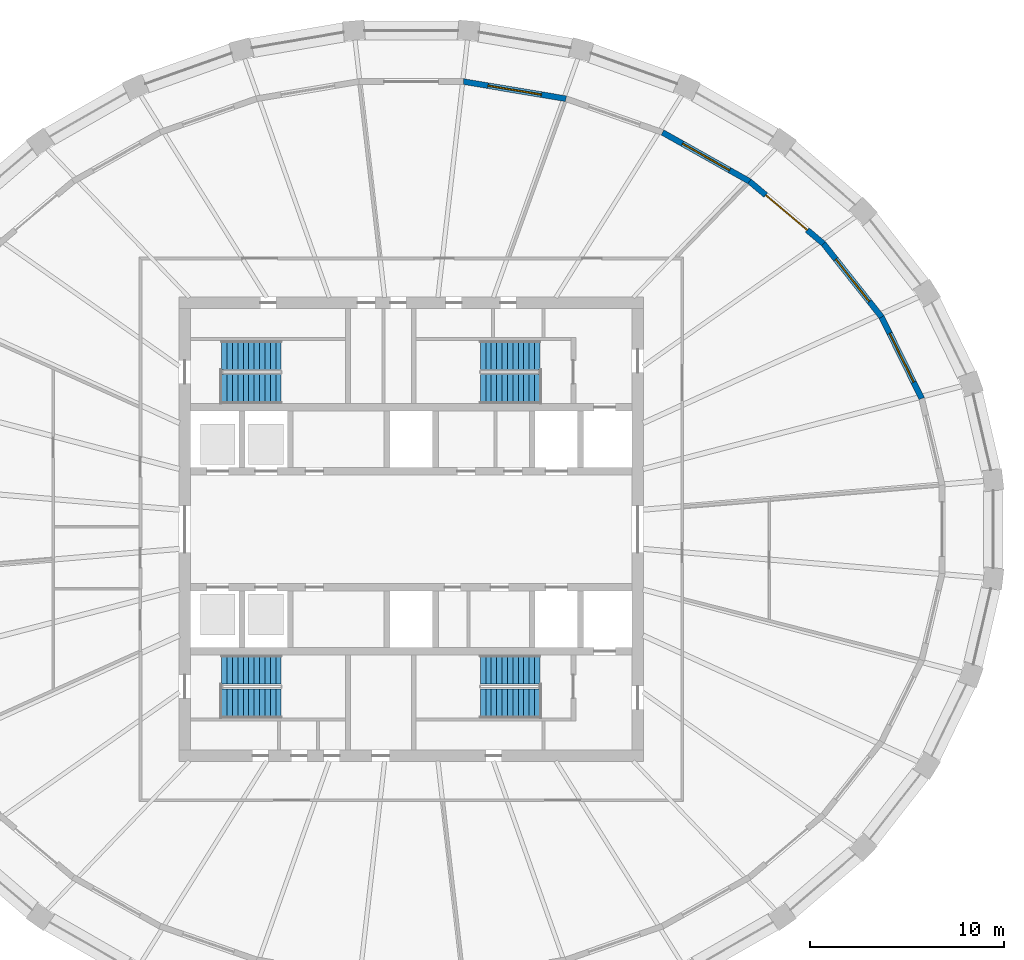
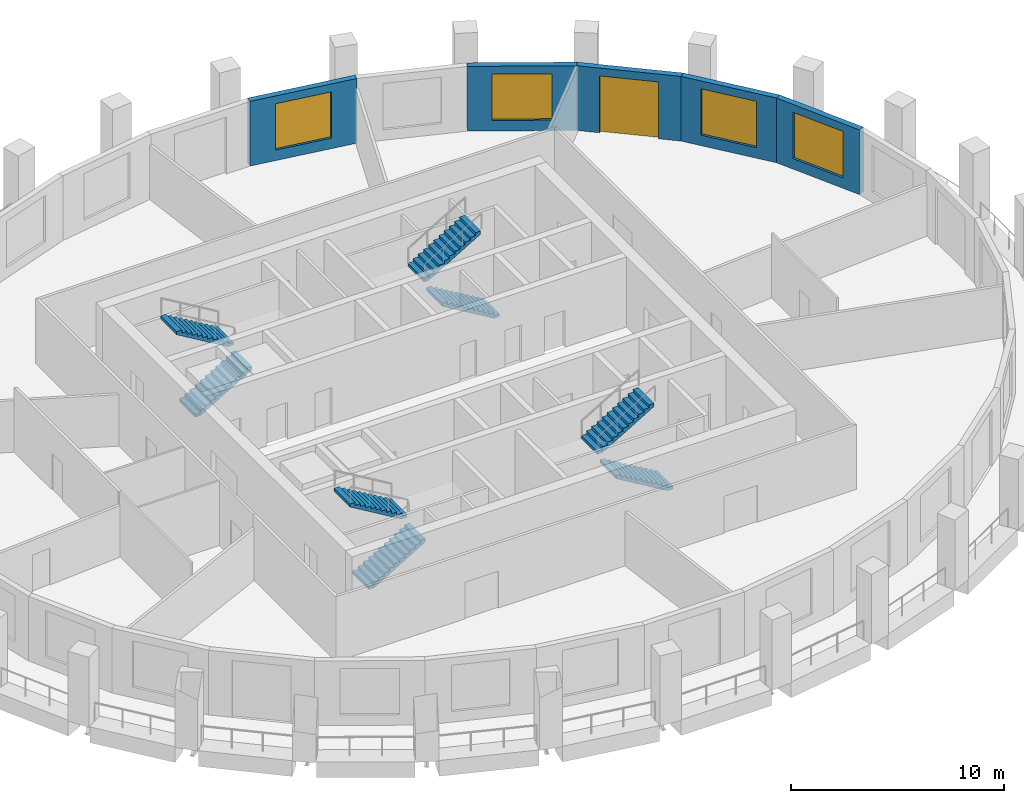
# One storey, part 7 of 10: 8 stair flights, 5 walls, 4 windows, 1 door, 5 openings, 4 elements without a shape of their own.
"""IFC4 building model written with IfcOpenShell, lengths in metres."""

from ifc_helpers import new_model, si_unit, direction, frame, frame_2d, origin, place, context, subcontext, project, spatial, polyline, rectangle, outline, extrude, material, layer, layer_set, type_object, element, fill, aggregate, save


model = new_model("IFC4")

# Units and contexts
model_context = context("Model", 3, precision=1e-05, world=origin(), true_north=direction((0.0, 1.0)))
body_context = subcontext(model_context, "Body", "Model", "MODEL_VIEW")
ifc_project = project(units=[si_unit("LENGTHUNIT", "METRE"), si_unit("AREAUNIT", "SQUARE_METRE"), si_unit("VOLUMEUNIT", "CUBIC_METRE"), si_unit("PLANEANGLEUNIT", "RADIAN"), si_unit("MASSUNIT", "GRAM", prefix="KILO")], contexts=[model_context])

# Site, building, storey
site_placement = place(None, origin())
site = spatial("IfcSite", under=ifc_project, at=site_placement, CompositionType="ELEMENT")
building_placement = place(site_placement, origin())
building = spatial("IfcBuilding", under=site, at=building_placement, Name="Halqa Exchange Tower", CompositionType="ELEMENT")
storey_placement = place(building_placement, frame((0.0, 0.0, 256.300048828125)))
storey = spatial("IfcBuildingStorey", under=building, at=storey_placement, Name="L59", CompositionType="ELEMENT", Elevation=256.300048828125)

# Wall, opening, window
ifc_material_1 = material(Name="Limestone cladding", Category="masonry")
ifc_layer_1 = layer(ifc_material_1, 0.0400390625)
ifc_material_2 = material(Name="Ventilated cavity")
ifc_layer_2 = layer(ifc_material_2, 0.030029296875, ventilated=True)
ifc_material_3 = material(Name="Mineral wool insulation")
ifc_layer_3 = layer(ifc_material_3, 0.10009765625)
ifc_material_4 = material(Name="Concrete C30/37", Category="concrete")
ifc_layer_4 = layer(ifc_material_4, 0.10009765625)
ifc_material_5 = material(Name="Internal plaster")
ifc_layer_5 = layer(ifc_material_5, 0.030029296875)
ifc_layer_set = layer_set([ifc_layer_1, ifc_layer_2, ifc_layer_3, ifc_layer_4, ifc_layer_5], Name="Stone-faced insulated wall 300")
wall_type = type_object("IfcWallType", Name="Stone-faced insulated wall 300", PredefinedType="STANDARD", material=ifc_layer_set)
wall_1_placement = place(storey_placement, frame((26.372314453125, 6.7548828125, 0.0), z_axis=(0.0, 0.0, 1.0), x_axis=(-0.441169971308, 0.89742356578, 0.0)))
wall_1 = element("IfcWall", 1, at=wall_1_placement, inside=storey, type_object=wall_type, Name="Glass-line wall 2", PredefinedType="STANDARD", context=body_context, shape_type="SweptSolid", body=[
    extrude(outline(polyline([(-0.016845703125, -0.14990234375), (4.7099609375, -0.14990234375), (4.677734375, 0.14990234375), (0.016845703125, 0.14990234375), (-0.016845703125, -0.14990234375)])), origin(), (0.0, 0.0, 1.0), 3.699951171875),
])
opening_1_placement = place(wall_1_placement, frame((0.947021484375, 0.0, 0.60009765625)))
opening_1 = element("IfcOpeningElement", 2, at=opening_1_placement, cuts=wall_1, Name="Opening W-F4-02", PredefinedType="OPENING", context=body_context, shape_type="SweptSolid", body=[
    extrude(rectangle(XDim=2.800048828125, YDim=2.64990234375, at=frame_2d((1.39990234375, 1.324951171875))), frame((0.0, 0.162109375, 0.0), z_axis=(0.0, -1.0, 0.0), x_axis=(1.0, 0.0, 0.0)), (0.0, 0.0, 1.0), 0.323974609375),
])
ifc_material_6 = material(Name="Clear low-emissivity glass in aluminium frame", Category="aluminium")
window_type = type_object("IfcWindowType", Name="Fixed clear glazed window 2800 x 2650", PartitioningType="DOUBLE_PANEL_VERTICAL", PredefinedType="WINDOW", material=ifc_material_6)
window_1_placement = place(opening_1_placement, origin())
window_1 = element("IfcWindow", 3, at=window_1_placement, inside=storey, type_object=window_type, Name="Window 4", OverallHeight=2.64990234375, OverallWidth=2.800048828125, PartitioningType="DOUBLE_PANEL_VERTICAL", PredefinedType="WINDOW", context=body_context, shape_type="SweptSolid", body=[
    extrude(rectangle(XDim=2.800048828125, YDim=2.64990234375, at=frame_2d((1.39990234375, 1.324951171875))), frame((0.0, 0.030029296875, 0.0), z_axis=(0.0, -1.0, 0.0), x_axis=(1.0, 0.0, 0.0)), (0.0, 0.0, 1.0), 0.06005859375),
])
fill(opening_1, window_1)

wall_2_placement = place(storey_placement, frame((24.301513671875, 10.96728515625, 0.0), z_axis=(0.0, 0.0, 1.0), x_axis=(-0.621358373565, 0.783526497063, 0.0)))
wall_2 = element("IfcWall", 4, at=wall_2_placement, inside=storey, type_object=wall_type, Name="Glass-line wall 3", PredefinedType="STANDARD", context=body_context, shape_type="SweptSolid", body=[
    extrude(outline(polyline([(-0.01611328125, -0.14990234375), (4.850830078125, -0.14990234375), (4.820556640625, 0.14990234375), (0.01611328125, 0.14990234375), (-0.01611328125, -0.14990234375)])), origin(), (0.0, 0.0, 1.0), 3.699951171875),
])
opening_2_placement = place(wall_2_placement, frame((1.017578125, 0.0, 0.60009765625)))
opening_2 = element("IfcOpeningElement", 5, at=opening_2_placement, cuts=wall_2, Name="Opening W-F4-03", PredefinedType="OPENING", context=body_context, shape_type="SweptSolid", body=[
    extrude(rectangle(XDim=2.800048828125, YDim=2.64990234375, at=frame_2d((1.39990234375, 1.324951171875))), frame((0.0, 0.162109375, 0.0), z_axis=(0.0, -1.0, 0.0), x_axis=(1.0, 0.0, 0.0)), (0.0, 0.0, 1.0), 0.323974609375),
])
window_2_placement = place(opening_2_placement, origin())
window_2 = element("IfcWindow", 6, at=window_2_placement, inside=storey, type_object=window_type, Name="Window 4", OverallHeight=2.64990234375, OverallWidth=2.800048828125, PartitioningType="DOUBLE_PANEL_VERTICAL", PredefinedType="WINDOW", context=body_context, shape_type="SweptSolid", body=[
    extrude(rectangle(XDim=2.800048828125, YDim=2.64990234375, at=frame_2d((1.39990234375, 1.324951171875))), frame((0.0, 0.030029296875, 0.0), z_axis=(0.0, -1.0, 0.0), x_axis=(1.0, 0.0, 0.0)), (0.0, 0.0, 1.0), 0.06005859375),
])
fill(opening_2, window_2)

# Wall, opening, door
wall_3_placement = place(storey_placement, frame((21.296875, 14.756103515625, 0.0), z_axis=(0.0, 0.0, 1.0), x_axis=(-0.764746492461, 0.644331283013, 0.0)))
wall_3 = element("IfcWall", 7, at=wall_3_placement, inside=storey, type_object=wall_type, Name="Glass-line wall 4", PredefinedType="STANDARD", context=body_context, shape_type="SweptSolid", body=[
    extrude(outline(polyline([(-0.01513671875, -0.14990234375), (5.011962890625, -0.14990234375), (4.983642578125, 0.14990234375), (0.01513671875, 0.14990234375), (-0.01513671875, -0.14990234375)])), origin(), (0.0, 0.0, 1.0), 3.699951171875),
])
opening_3_placement = place(wall_3_placement, frame((1.098876953125, 0.0, 0.0)))
opening_3 = element("IfcOpeningElement", 8, at=opening_3_placement, cuts=wall_3, Name="Opening LG-F4-01", PredefinedType="OPENING", context=body_context, shape_type="SweptSolid", body=[
    extrude(rectangle(XDim=2.800048828125, YDim=3.25, at=frame_2d((1.39990234375, 1.625))), frame((0.0, 0.162109375, 0.0), z_axis=(0.0, -1.0, 0.0), x_axis=(1.0, 0.0, 0.0)), (0.0, 0.0, 1.0), 0.323974609375),
])
door_type = type_object("IfcDoorType", Name="Glazed sliding loggia door 2800 x 3250", OperationType="DOUBLE_DOOR_SLIDING", PredefinedType="DOOR", material=ifc_material_6)
door_placement = place(opening_3_placement, origin())
door = element("IfcDoor", 9, at=door_placement, inside=storey, type_object=door_type, Name="Loggia door 1", OperationType="DOUBLE_DOOR_SLIDING", OverallHeight=3.25, OverallWidth=2.800048828125, PredefinedType="DOOR", context=body_context, shape_type="SweptSolid", body=[
    extrude(rectangle(XDim=2.800048828125, YDim=3.25, at=frame_2d((1.39990234375, 1.625))), frame((0.0, 0.02490234375, 0.0), z_axis=(0.0, -1.0, 0.0), x_axis=(1.0, 0.0, 0.0)), (0.0, 0.0, 1.0), 0.050048828125),
])
fill(opening_3, door)

# Wall, opening, window
wall_4_placement = place(storey_placement, frame((17.474853515625, 17.976318359375, 0.0), z_axis=(0.0, 0.0, 1.0), x_axis=(-0.871411047742, 0.490553550465, 0.0)))
wall_4 = element("IfcWall", 10, at=wall_4_placement, inside=storey, type_object=wall_type, Name="Glass-line wall 5", PredefinedType="STANDARD", context=body_context, shape_type="SweptSolid", body=[
    extrude(outline(polyline([(-0.01416015625, -0.14990234375), (5.16796875, -0.14990234375), (5.14111328125, 0.14990234375), (0.01416015625, 0.14990234375), (-0.01416015625, -0.14990234375)])), origin(), (0.0, 0.0, 1.0), 3.699951171875),
])
opening_4_placement = place(wall_4_placement, frame((1.17724609375, 0.0, 0.60009765625)))
opening_4 = element("IfcOpeningElement", 11, at=opening_4_placement, cuts=wall_4, Name="Opening W-F4-05", PredefinedType="OPENING", context=body_context, shape_type="SweptSolid", body=[
    extrude(rectangle(XDim=2.800048828125, YDim=2.64990234375, at=frame_2d((1.39990234375, 1.324951171875))), frame((0.0, 0.162109375, 0.0), z_axis=(0.0, -1.0, 0.0), x_axis=(1.0, 0.0, 0.0)), (0.0, 0.0, 1.0), 0.323974609375),
])
window_3_placement = place(opening_4_placement, origin())
window_3 = element("IfcWindow", 12, at=window_3_placement, inside=storey, type_object=window_type, Name="Window 4", OverallHeight=2.64990234375, OverallWidth=2.800048828125, PartitioningType="DOUBLE_PANEL_VERTICAL", PredefinedType="WINDOW", context=body_context, shape_type="SweptSolid", body=[
    extrude(rectangle(XDim=2.800048828125, YDim=2.64990234375, at=frame_2d((1.39990234375, 1.324951171875))), frame((0.0, 0.030029296875, 0.0), z_axis=(0.0, -1.0, 0.0), x_axis=(1.0, 0.0, 0.0)), (0.0, 0.0, 1.0), 0.06005859375),
])
fill(opening_4, window_3)

wall_5_placement = place(storey_placement, frame((7.994140625, 22.24609375, 0.0), z_axis=(0.0, 0.0, 1.0), x_axis=(-0.986243571741, 0.165298569867, 0.0)))
wall_5 = element("IfcWall", 13, at=wall_5_placement, inside=storey, type_object=wall_type, Name="Glass-line wall 7", PredefinedType="STANDARD", context=body_context, shape_type="SweptSolid", body=[
    extrude(outline(polyline([(-0.0126953125, -0.14990234375), (5.38134765625, -0.14990234375), (5.3564453125, 0.14990234375), (0.0126953125, 0.14990234375), (-0.0126953125, -0.14990234375)])), origin(), (0.0, 0.0, 1.0), 3.699951171875),
])
opening_5_placement = place(wall_5_placement, frame((1.284423828125, 0.0, 0.60009765625)))
opening_5 = element("IfcOpeningElement", 14, at=opening_5_placement, cuts=wall_5, Name="Opening W-F4-07", PredefinedType="OPENING", context=body_context, shape_type="SweptSolid", body=[
    extrude(rectangle(XDim=2.800048828125, YDim=2.64990234375, at=frame_2d((1.39990234375, 1.324951171875))), frame((0.0, 0.162109375, 0.0), z_axis=(0.0, -1.0, 0.0), x_axis=(1.0, 0.0, 0.0)), (0.0, 0.0, 1.0), 0.323974609375),
])
window_4_placement = place(opening_5_placement, origin())
window_4 = element("IfcWindow", 15, at=window_4_placement, inside=storey, type_object=window_type, Name="Window 4", OverallHeight=2.64990234375, OverallWidth=2.800048828125, PartitioningType="DOUBLE_PANEL_VERTICAL", PredefinedType="WINDOW", context=body_context, shape_type="SweptSolid", body=[
    extrude(rectangle(XDim=2.800048828125, YDim=2.64990234375, at=frame_2d((1.39990234375, 1.324951171875))), frame((0.0, 0.030029296875, 0.0), z_axis=(0.0, -1.0, 0.0), x_axis=(1.0, 0.0, 0.0)), (0.0, 0.0, 1.0), 0.06005859375),
])
fill(opening_5, window_4)

# Stair, stair flights
stair_type = type_object("IfcStairType", Name="Exit stair 1500 wide", PredefinedType="HALF_TURN_STAIR", material=ifc_material_4)
stair_1_placement = place(storey_placement, origin())
stair_1 = element("IfcStair", 16, at=stair_1_placement, inside=storey, type_object=stair_type, Name="Exit stair ST1", PredefinedType="HALF_TURN_STAIR")
stair_flight_type = type_object("IfcStairFlightType", Name="Stair flight 1500 wide", PredefinedType="STRAIGHT", material=ifc_material_4)
stair_flight_1_placement = place(storey_placement, frame((-9.800048828125, 7.25, 0.0), z_axis=(0.0, 0.0, 1.0), x_axis=(1.0, 0.0, 0.0)))
stair_flight_1 = element("IfcStairFlight", 17, at=stair_flight_1_placement, type_object=stair_flight_type, Name="ST1 flight 1", NumberOfRisers=12, NumberOfTreads=11, PredefinedType="STRAIGHT", RiserHeight=0.166666667, TreadLength=0.28, context=body_context, shape_type="SweptSolid", body=[
    extrude(outline(polyline([(0.0, 0.0), (0.0, 0.166748046875), (0.280029296875, 0.166748046875), (0.280029296875, 0.333251953125), (0.56005859375, 0.333251953125), (0.56005859375, 0.5), (0.840087890625, 0.5), (0.840087890625, 0.666748046875), (1.1201171875, 0.666748046875), (1.1201171875, 0.833251953125), (1.39990234375, 0.833251953125), (1.39990234375, 1.0), (1.679931640625, 1.0), (1.679931640625, 1.166748046875), (1.9599609375, 1.166748046875), (1.9599609375, 1.333251953125), (2.239990234375, 1.333251953125), (2.239990234375, 1.5), (2.52001953125, 1.5), (2.52001953125, 1.666748046875), (2.800048828125, 1.666748046875), (2.800048828125, 1.833251953125), (3.080078125, 1.833251953125), (3.080078125, 2.0), (3.080078125, 1.658935546875), (0.29296875, 0.0), (0.0, 0.0)])), frame((0.0, 0.75, 0.0), z_axis=(0.0, -1.0, 0.0), x_axis=(1.0, 0.0, 0.0)), (0.0, 0.0, 1.0), 1.5),
])
stair_flight_2_placement = place(storey_placement, frame((-6.719970703125, 9.0, 2.0), z_axis=(0.0, 0.0, 1.0), x_axis=(-1.0, 0.0, 0.0)))
stair_flight_2 = element("IfcStairFlight", 18, at=stair_flight_2_placement, type_object=stair_flight_type, Name="ST1 flight 2", NumberOfRisers=12, NumberOfTreads=11, PredefinedType="STRAIGHT", RiserHeight=0.166666667, TreadLength=0.28, context=body_context, shape_type="SweptSolid", body=[
    extrude(outline(polyline([(0.0, 0.0), (0.0, 0.166748046875), (0.280029296875, 0.166748046875), (0.280029296875, 0.333251953125), (0.56005859375, 0.333251953125), (0.56005859375, 0.5), (0.840087890625, 0.5), (0.840087890625, 0.666748046875), (1.1201171875, 0.666748046875), (1.1201171875, 0.833251953125), (1.39990234375, 0.833251953125), (1.39990234375, 1.0), (1.679931640625, 1.0), (1.679931640625, 1.166748046875), (1.9599609375, 1.166748046875), (1.9599609375, 1.333251953125), (2.239990234375, 1.333251953125), (2.239990234375, 1.5), (2.52001953125, 1.5), (2.52001953125, 1.666748046875), (2.800048828125, 1.666748046875), (2.800048828125, 1.833251953125), (3.080078125, 1.833251953125), (3.080078125, 2.0), (3.080078125, 1.658935546875), (0.29296875, 0.0), (0.0, 0.0)])), frame((0.0, 0.75, 0.0), z_axis=(0.0, -1.0, 0.0), x_axis=(1.0, 0.0, 0.0)), (0.0, 0.0, 1.0), 1.5),
])
aggregate(stair_1, [stair_flight_1, stair_flight_2])

stair_2_placement = place(storey_placement, origin())
stair_2 = element("IfcStair", 19, at=stair_2_placement, inside=storey, type_object=stair_type, Name="Exit stair ST2", PredefinedType="HALF_TURN_STAIR")
stair_flight_3_placement = place(storey_placement, frame((6.64990234375, 7.25, 0.0), z_axis=(0.0, 0.0, 1.0), x_axis=(-1.0, 0.0, 0.0)))
stair_flight_3 = element("IfcStairFlight", 20, at=stair_flight_3_placement, type_object=stair_flight_type, Name="ST2 flight 1", NumberOfRisers=12, NumberOfTreads=11, PredefinedType="STRAIGHT", RiserHeight=0.166666667, TreadLength=0.28, context=body_context, shape_type="SweptSolid", body=[
    extrude(outline(polyline([(0.0, 0.0), (0.0, 0.166748046875), (0.280029296875, 0.166748046875), (0.280029296875, 0.333251953125), (0.56005859375, 0.333251953125), (0.56005859375, 0.5), (0.840087890625, 0.5), (0.840087890625, 0.666748046875), (1.1201171875, 0.666748046875), (1.1201171875, 0.833251953125), (1.39990234375, 0.833251953125), (1.39990234375, 1.0), (1.679931640625, 1.0), (1.679931640625, 1.166748046875), (1.9599609375, 1.166748046875), (1.9599609375, 1.333251953125), (2.239990234375, 1.333251953125), (2.239990234375, 1.5), (2.52001953125, 1.5), (2.52001953125, 1.666748046875), (2.800048828125, 1.666748046875), (2.800048828125, 1.833251953125), (3.080078125, 1.833251953125), (3.080078125, 2.0), (3.080078125, 1.658935546875), (0.29296875, 0.0), (0.0, 0.0)])), frame((0.0, 0.75, 0.0), z_axis=(0.0, -1.0, 0.0), x_axis=(1.0, 0.0, 0.0)), (0.0, 0.0, 1.0), 1.5),
])
stair_flight_4_placement = place(storey_placement, frame((3.570068359375, 9.0, 2.0), z_axis=(0.0, 0.0, 1.0), x_axis=(1.0, 0.0, 0.0)))
stair_flight_4 = element("IfcStairFlight", 21, at=stair_flight_4_placement, type_object=stair_flight_type, Name="ST2 flight 2", NumberOfRisers=12, NumberOfTreads=11, PredefinedType="STRAIGHT", RiserHeight=0.166666667, TreadLength=0.28, context=body_context, shape_type="SweptSolid", body=[
    extrude(outline(polyline([(0.0, 0.0), (0.0, 0.166748046875), (0.280029296875, 0.166748046875), (0.280029296875, 0.333251953125), (0.56005859375, 0.333251953125), (0.56005859375, 0.5), (0.840087890625, 0.5), (0.840087890625, 0.666748046875), (1.1201171875, 0.666748046875), (1.1201171875, 0.833251953125), (1.39990234375, 0.833251953125), (1.39990234375, 1.0), (1.679931640625, 1.0), (1.679931640625, 1.166748046875), (1.9599609375, 1.166748046875), (1.9599609375, 1.333251953125), (2.239990234375, 1.333251953125), (2.239990234375, 1.5), (2.52001953125, 1.5), (2.52001953125, 1.666748046875), (2.800048828125, 1.666748046875), (2.800048828125, 1.833251953125), (3.080078125, 1.833251953125), (3.080078125, 2.0), (3.080078125, 1.658935546875), (0.29296875, 0.0), (0.0, 0.0)])), frame((0.0, 0.75, 0.0), z_axis=(0.0, -1.0, 0.0), x_axis=(1.0, 0.0, 0.0)), (0.0, 0.0, 1.0), 1.5),
])
aggregate(stair_2, [stair_flight_3, stair_flight_4])

stair_3_placement = place(storey_placement, origin())
stair_3 = element("IfcStair", 22, at=stair_3_placement, inside=storey, type_object=stair_type, Name="Exit stair ST3", PredefinedType="HALF_TURN_STAIR")
stair_flight_5_placement = place(storey_placement, frame((-9.800048828125, -9.0, 0.0), z_axis=(0.0, 0.0, 1.0), x_axis=(1.0, 0.0, 0.0)))
stair_flight_5 = element("IfcStairFlight", 23, at=stair_flight_5_placement, type_object=stair_flight_type, Name="ST3 flight 1", NumberOfRisers=12, NumberOfTreads=11, PredefinedType="STRAIGHT", RiserHeight=0.166666667, TreadLength=0.28, context=body_context, shape_type="SweptSolid", body=[
    extrude(outline(polyline([(0.0, 0.0), (0.0, 0.166748046875), (0.280029296875, 0.166748046875), (0.280029296875, 0.333251953125), (0.56005859375, 0.333251953125), (0.56005859375, 0.5), (0.840087890625, 0.5), (0.840087890625, 0.666748046875), (1.1201171875, 0.666748046875), (1.1201171875, 0.833251953125), (1.39990234375, 0.833251953125), (1.39990234375, 1.0), (1.679931640625, 1.0), (1.679931640625, 1.166748046875), (1.9599609375, 1.166748046875), (1.9599609375, 1.333251953125), (2.239990234375, 1.333251953125), (2.239990234375, 1.5), (2.52001953125, 1.5), (2.52001953125, 1.666748046875), (2.800048828125, 1.666748046875), (2.800048828125, 1.833251953125), (3.080078125, 1.833251953125), (3.080078125, 2.0), (3.080078125, 1.658935546875), (0.29296875, 0.0), (0.0, 0.0)])), frame((0.0, 0.75, 0.0), z_axis=(0.0, -1.0, 0.0), x_axis=(1.0, 0.0, 0.0)), (0.0, 0.0, 1.0), 1.5),
])
stair_flight_6_placement = place(storey_placement, frame((-6.719970703125, -7.25, 2.0), z_axis=(0.0, 0.0, 1.0), x_axis=(-1.0, 0.0, 0.0)))
stair_flight_6 = element("IfcStairFlight", 24, at=stair_flight_6_placement, type_object=stair_flight_type, Name="ST3 flight 2", NumberOfRisers=12, NumberOfTreads=11, PredefinedType="STRAIGHT", RiserHeight=0.166666667, TreadLength=0.28, context=body_context, shape_type="SweptSolid", body=[
    extrude(outline(polyline([(0.0, 0.0), (0.0, 0.166748046875), (0.280029296875, 0.166748046875), (0.280029296875, 0.333251953125), (0.56005859375, 0.333251953125), (0.56005859375, 0.5), (0.840087890625, 0.5), (0.840087890625, 0.666748046875), (1.1201171875, 0.666748046875), (1.1201171875, 0.833251953125), (1.39990234375, 0.833251953125), (1.39990234375, 1.0), (1.679931640625, 1.0), (1.679931640625, 1.166748046875), (1.9599609375, 1.166748046875), (1.9599609375, 1.333251953125), (2.239990234375, 1.333251953125), (2.239990234375, 1.5), (2.52001953125, 1.5), (2.52001953125, 1.666748046875), (2.800048828125, 1.666748046875), (2.800048828125, 1.833251953125), (3.080078125, 1.833251953125), (3.080078125, 2.0), (3.080078125, 1.658935546875), (0.29296875, 0.0), (0.0, 0.0)])), frame((0.0, 0.75, 0.0), z_axis=(0.0, -1.0, 0.0), x_axis=(1.0, 0.0, 0.0)), (0.0, 0.0, 1.0), 1.5),
])
aggregate(stair_3, [stair_flight_5, stair_flight_6])

stair_4_placement = place(storey_placement, origin())
stair_4 = element("IfcStair", 25, at=stair_4_placement, inside=storey, type_object=stair_type, Name="Exit stair ST4", PredefinedType="HALF_TURN_STAIR")
stair_flight_7_placement = place(storey_placement, frame((6.64990234375, -9.0, 0.0), z_axis=(0.0, 0.0, 1.0), x_axis=(-1.0, 0.0, 0.0)))
stair_flight_7 = element("IfcStairFlight", 26, at=stair_flight_7_placement, type_object=stair_flight_type, Name="ST4 flight 1", NumberOfRisers=12, NumberOfTreads=11, PredefinedType="STRAIGHT", RiserHeight=0.166666667, TreadLength=0.28, context=body_context, shape_type="SweptSolid", body=[
    extrude(outline(polyline([(0.0, 0.0), (0.0, 0.166748046875), (0.280029296875, 0.166748046875), (0.280029296875, 0.333251953125), (0.56005859375, 0.333251953125), (0.56005859375, 0.5), (0.840087890625, 0.5), (0.840087890625, 0.666748046875), (1.1201171875, 0.666748046875), (1.1201171875, 0.833251953125), (1.39990234375, 0.833251953125), (1.39990234375, 1.0), (1.679931640625, 1.0), (1.679931640625, 1.166748046875), (1.9599609375, 1.166748046875), (1.9599609375, 1.333251953125), (2.239990234375, 1.333251953125), (2.239990234375, 1.5), (2.52001953125, 1.5), (2.52001953125, 1.666748046875), (2.800048828125, 1.666748046875), (2.800048828125, 1.833251953125), (3.080078125, 1.833251953125), (3.080078125, 2.0), (3.080078125, 1.658935546875), (0.29296875, 0.0), (0.0, 0.0)])), frame((0.0, 0.75, 0.0), z_axis=(0.0, -1.0, 0.0), x_axis=(1.0, 0.0, 0.0)), (0.0, 0.0, 1.0), 1.5),
])
stair_flight_8_placement = place(storey_placement, frame((3.570068359375, -7.25, 2.0), z_axis=(0.0, 0.0, 1.0), x_axis=(1.0, 0.0, 0.0)))
stair_flight_8 = element("IfcStairFlight", 27, at=stair_flight_8_placement, type_object=stair_flight_type, Name="ST4 flight 2", NumberOfRisers=12, NumberOfTreads=11, PredefinedType="STRAIGHT", RiserHeight=0.166666667, TreadLength=0.28, context=body_context, shape_type="SweptSolid", body=[
    extrude(outline(polyline([(0.0, 0.0), (0.0, 0.166748046875), (0.280029296875, 0.166748046875), (0.280029296875, 0.333251953125), (0.56005859375, 0.333251953125), (0.56005859375, 0.5), (0.840087890625, 0.5), (0.840087890625, 0.666748046875), (1.1201171875, 0.666748046875), (1.1201171875, 0.833251953125), (1.39990234375, 0.833251953125), (1.39990234375, 1.0), (1.679931640625, 1.0), (1.679931640625, 1.166748046875), (1.9599609375, 1.166748046875), (1.9599609375, 1.333251953125), (2.239990234375, 1.333251953125), (2.239990234375, 1.5), (2.52001953125, 1.5), (2.52001953125, 1.666748046875), (2.800048828125, 1.666748046875), (2.800048828125, 1.833251953125), (3.080078125, 1.833251953125), (3.080078125, 2.0), (3.080078125, 1.658935546875), (0.29296875, 0.0), (0.0, 0.0)])), frame((0.0, 0.75, 0.0), z_axis=(0.0, -1.0, 0.0), x_axis=(1.0, 0.0, 0.0)), (0.0, 0.0, 1.0), 1.5),
])
aggregate(stair_4, [stair_flight_7, stair_flight_8])

save(model, "model.ifc")
